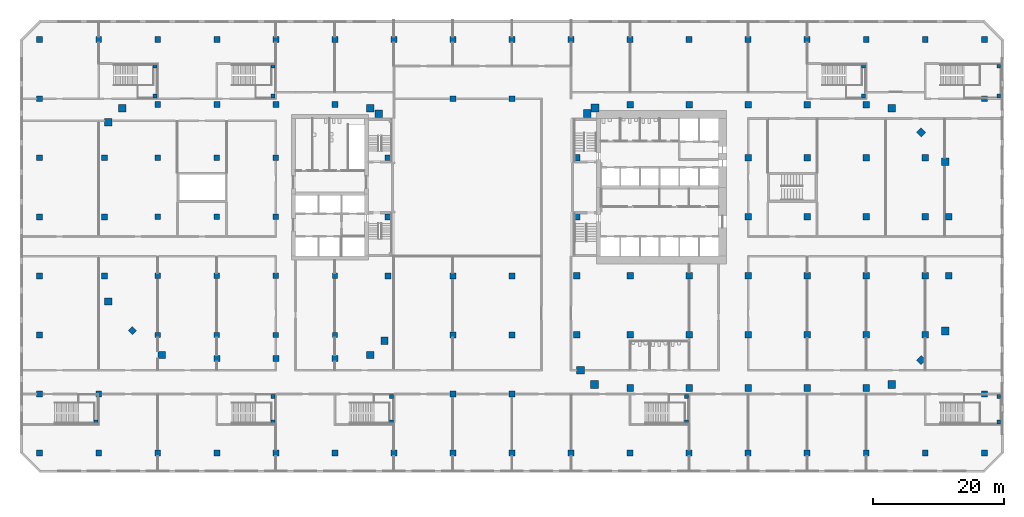
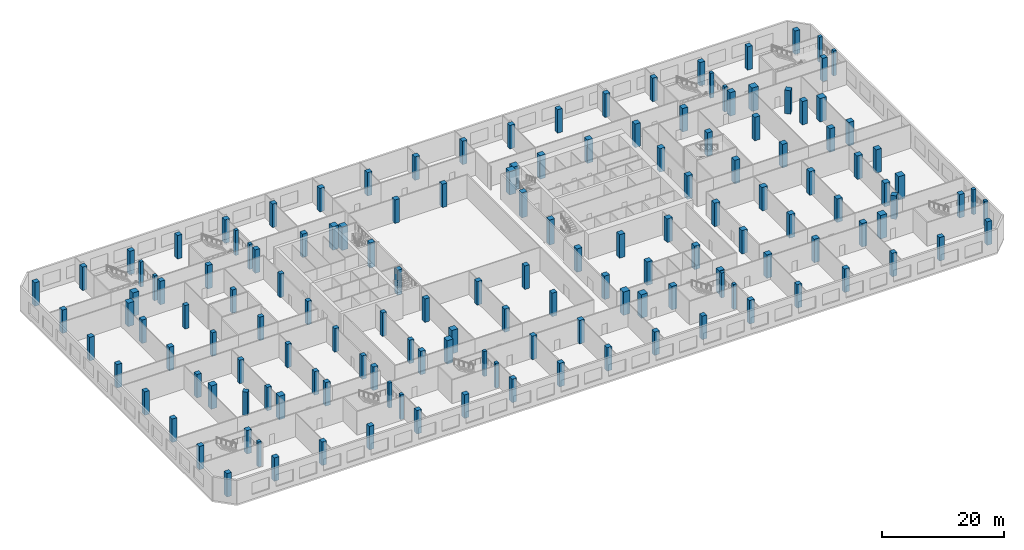
# One storey, part 1 of 21: 150 columns.
"""IFC4 building model written with IfcOpenShell, lengths in metres."""

from ifc_helpers import new_model, si_unit, direction, frame, origin, origin_2d, place, context, subcontext, project, spatial, rectangle, extrude, material, material_profile, profile_set, type_object, element, save


model = new_model("IFC4")

# Units and contexts
model_context = context("Model", 3, precision=1e-05, world=origin(), true_north=direction((0.0, 1.0)))
body_context = subcontext(model_context, "Body", "Model", "MODEL_VIEW")
ifc_project = project(units=[si_unit("LENGTHUNIT", "METRE"), si_unit("AREAUNIT", "SQUARE_METRE"), si_unit("VOLUMEUNIT", "CUBIC_METRE"), si_unit("PLANEANGLEUNIT", "RADIAN"), si_unit("MASSUNIT", "GRAM", prefix="KILO")], contexts=[model_context])

# Site, building, storey
site_placement = place(None, origin())
site = spatial("IfcSite", under=ifc_project, at=site_placement, CompositionType="ELEMENT")
building_placement = place(site_placement, origin())
building = spatial("IfcBuilding", under=site, at=building_placement, Name="Cinnabar Reach Civic Tower", CompositionType="ELEMENT")
storey_placement = place(building_placement, frame((0.0, 0.0, 11.0)))
storey = spatial("IfcBuildingStorey", under=building, at=storey_placement, Name="L02", CompositionType="ELEMENT", Elevation=11.0)

# Columns
ifc_material_1 = material(Name="Concrete C70", Category="concrete")
ifc_material_profile_1 = material_profile(ifc_material_1, rectangle(XDim=1.0, YDim=1.0, at=origin_2d()), Name="RC1000")
ifc_profile_set_1 = profile_set([ifc_material_profile_1], Name="Concrete C70")
column_type_1 = type_object("IfcColumnType", Name="RC1000 column R 240", PredefinedType="COLUMN", material=ifc_profile_set_1)
for number, where, z_axis, x_axis, name in (
    (1, (9.0, 0.9, 0.0), (0.0, 0.0, 1.0), (1.0, 0.0, 0.0), "Column T1-Z1-F0-1"),
    (2, (18.0, 0.9, 0.0), (0.0, 0.0, 1.0), (1.0, 0.0, 0.0), "Column T1-Z1-F0-2"),
    (3, (27.0, 0.9, 0.0), (0.0, 0.0, 1.0), (1.0, 0.0, 0.0), "Column T1-Z1-F0-3"),
    (4, (36.0, 0.9, 0.0), (0.0, 0.0, 1.0), (1.0, 0.0, 0.0), "Column T1-Z1-F0-4"),
    (5, (45.0, 0.9, 0.0), (0.0, 0.0, 1.0), (1.0, 0.0, 0.0), "Column T1-Z1-F0-5"),
    (6, (53.3636, 5.1364, 0.0), (0.0, 0.0, 1.0), (0.707106781187, 0.707106781187, 0.0), "Column T1-Z1-F1-M"),
    (7, (57.6, 18.0, 0.0), (0.0, 0.0, 1.0), (1.0, 0.0, 0.0), "Column T1-Z1-F2-2"),
    (8, (57.6, 27.0, 0.0), (0.0, 0.0, 1.0), (1.0, 0.0, 0.0), "Column T1-Z1-F2-3"),
    (9, (53.3636, 39.8636, 0.0), (0.0, 0.0, 1.0), (0.707106781187, 0.707106781187, 0.0), "Column T1-Z1-F3-M"),
    (10, (9.0, 44.1, 0.0), (0.0, 0.0, 1.0), (1.0, 0.0, 0.0), "Column T1-Z1-F4-1"),
    (11, (18.0, 44.1, 0.0), (0.0, 0.0, 1.0), (1.0, 0.0, 0.0), "Column T1-Z1-F4-2"),
    (12, (27.0, 44.1, 0.0), (0.0, 0.0, 1.0), (1.0, 0.0, 0.0), "Column T1-Z1-F4-3"),
    (13, (36.0, 44.1, 0.0), (0.0, 0.0, 1.0), (1.0, 0.0, 0.0), "Column T1-Z1-F4-4"),
    (14, (45.0, 44.1, 0.0), (0.0, 0.0, 1.0), (1.0, 0.0, 0.0), "Column T1-Z1-F4-5"),
    (15, (0.9, 9.0, 0.0), (0.0, 0.0, 1.0), (1.0, 0.0, 0.0), "Column T1-Z1-F6-1"),
    (16, (0.9, 18.0, 0.0), (0.0, 0.0, 1.0), (1.0, 0.0, 0.0), "Column T1-Z1-F6-2"),
):
    element("IfcColumn", number, at=place(storey_placement, frame(where, z_axis=z_axis, x_axis=x_axis)), inside=storey, type_object=column_type_1, Name=name, PredefinedType="COLUMN", context=body_context, shape_type="SweptSolid", body=[
        extrude(rectangle(XDim=1.0, YDim=1.0, at=origin_2d()), origin(), (0.0, 0.0, 1.0), 4.7),
    ])
for number, where, z_axis, x_axis, name in (
    (17, (0.9, 27.0, 0.0), (0.0, 0.0, 1.0), (1.0, 0.0, 0.0), "Column T1-Z1-F6-3"),
    (18, (0.9, 36.0, 0.0), (0.0, 0.0, 1.0), (1.0, 0.0, 0.0), "Column T1-Z1-F6-4"),
):
    element("IfcColumn", number, at=place(storey_placement, frame(where, z_axis=z_axis, x_axis=x_axis)), inside=storey, type_object=column_type_1, Name=name, PredefinedType="COLUMN", context=body_context, shape_type="SweptSolid", body=[
        extrude(rectangle(XDim=1.0, YDim=1.0, at=origin_2d()), origin(), (0.0, 0.0, 1.0), 5.0),
    ])
for number, where, z_axis, x_axis, name in (
    (19, (9.0, 9.0, 0.0), (0.0, 0.0, 1.0), (1.0, 0.0, 0.0), "Column T1-Z1-I9_9"),
    (20, (9.0, 18.0, 0.0), (0.0, 0.0, 1.0), (1.0, 0.0, 0.0), "Column T1-Z1-I9_18"),
    (21, (18.0, 9.0, 0.0), (0.0, 0.0, 1.0), (1.0, 0.0, 0.0), "Column T1-Z1-I18_9"),
    (22, (18.0, 18.0, 0.0), (0.0, 0.0, 1.0), (1.0, 0.0, 0.0), "Column T1-Z1-I18_18"),
    (23, (27.0, 9.0, 0.0), (0.0, 0.0, 1.0), (1.0, 0.0, 0.0), "Column T1-Z1-I27_9"),
    (24, (27.0, 18.0, 0.0), (0.0, 0.0, 1.0), (1.0, 0.0, 0.0), "Column T1-Z1-I27_18"),
    (25, (27.0, 27.0, 0.0), (0.0, 0.0, 1.0), (1.0, 0.0, 0.0), "Column T1-Z1-I27_27"),
    (26, (27.0, 36.0, 0.0), (0.0, 0.0, 1.0), (1.0, 0.0, 0.0), "Column T1-Z1-I27_36"),
    (27, (36.0, 9.0, 0.0), (0.0, 0.0, 1.0), (1.0, 0.0, 0.0), "Column T1-Z1-I36_9"),
    (28, (36.0, 18.0, 0.0), (0.0, 0.0, 1.0), (1.0, 0.0, 0.0), "Column T1-Z1-I36_18"),
    (29, (36.0, 27.0, 0.0), (0.0, 0.0, 1.0), (1.0, 0.0, 0.0), "Column T1-Z1-I36_27"),
    (30, (36.0, 36.0, 0.0), (0.0, 0.0, 1.0), (1.0, 0.0, 0.0), "Column T1-Z1-I36_36"),
    (31, (45.0, 9.0, 0.0), (0.0, 0.0, 1.0), (1.0, 0.0, 0.0), "Column T1-Z1-I45_9"),
    (32, (45.0, 18.0, 0.0), (0.0, 0.0, 1.0), (1.0, 0.0, 0.0), "Column T1-Z1-I45_18"),
    (33, (45.0, 27.0, 0.0), (0.0, 0.0, 1.0), (1.0, 0.0, 0.0), "Column T1-Z1-I45_27"),
    (34, (45.0, 36.0, 0.0), (0.0, 0.0, 1.0), (1.0, 0.0, 0.0), "Column T1-Z1-I45_36"),
    (35, (54.0, 9.0, 0.0), (0.0, 0.0, 1.0), (1.0, 0.0, 0.0), "Column T1-Z1-I54_9"),
    (36, (54.0, 18.0, 0.0), (0.0, 0.0, 1.0), (1.0, 0.0, 0.0), "Column T1-Z1-I54_18"),
    (37, (54.0, 27.0, 0.0), (0.0, 0.0, 1.0), (1.0, 0.0, 0.0), "Column T1-Z1-I54_27"),
    (38, (54.0, 36.0, 0.0), (0.0, 0.0, 1.0), (1.0, 0.0, 0.0), "Column T1-Z1-I54_36"),
):
    element("IfcColumn", number, at=place(storey_placement, frame(where, z_axis=z_axis, x_axis=x_axis)), inside=storey, type_object=column_type_1, Name=name, PredefinedType="COLUMN", context=body_context, shape_type="SweptSolid", body=[
        extrude(rectangle(XDim=1.0, YDim=1.0, at=origin_2d()), origin(), (0.0, 0.0, 1.0), 4.7),
    ])
ifc_material_2 = material(Name="Concrete C80", Category="concrete")
ifc_material_profile_2 = material_profile(ifc_material_2, rectangle(XDim=1.1, YDim=1.1, at=origin_2d()), Name="RC1100")
ifc_profile_set_2 = profile_set([ifc_material_profile_2], Name="Concrete C80")
column_type_2 = type_object("IfcColumnType", Name="RC1100 column R 180", PredefinedType="COLUMN", material=ifc_profile_set_2)
for number, where, z_axis, x_axis, name in (
    (39, (-62.3981, 5.9531, 0.0), (0.0, 0.0, 1.0), (1.0, 0.0, 0.0), "Column T2-Z1-CC0"),
    (40, (-30.6019, 5.9531, 0.0), (0.0, 0.0, 1.0), (1.0, 0.0, 0.0), "Column T2-Z1-CC1"),
    (41, (-28.4531, 8.1019, 0.0), (0.0, 0.0, 1.0), (1.0, 0.0, 0.0), "Column T2-Z1-CC2"),
    (42, (-29.3131, 42.7, 0.0), (0.0, 0.0, 1.0), (1.0, 0.0, 0.0), "Column T2-Z1-CC3"),
    (43, (-30.6019, 43.5469, 0.0), (0.0, 0.0, 1.0), (1.0, 0.0, 0.0), "Column T2-Z1-CC4"),
    (44, (-68.3981, 43.5469, 0.0), (0.0, 0.0, 1.0), (1.0, 0.0, 0.0), "Column T2-Z1-CC5"),
    (45, (-70.5469, 41.3981, 0.0), (0.0, 0.0, 1.0), (1.0, 0.0, 0.0), "Column T2-Z1-CC6"),
    (46, (-70.5469, 14.1019, 0.0), (0.0, 0.0, 1.0), (1.0, 0.0, 0.0), "Column T2-Z1-CC7"),
):
    element("IfcColumn", number, at=place(storey_placement, frame(where, z_axis=z_axis, x_axis=x_axis)), inside=storey, type_object=column_type_2, Name=name, PredefinedType="COLUMN", context=body_context, shape_type="SweptSolid", body=[
        extrude(rectangle(XDim=1.1, YDim=1.1, at=origin_2d()), origin(), (0.0, 0.0, 1.0), 4.7),
    ])
ifc_material_profile_3 = material_profile(ifc_material_2, rectangle(XDim=1.2, YDim=1.2, at=origin_2d()), Name="RC1200")
ifc_profile_set_3 = profile_set([ifc_material_profile_3], Name="Concrete C80")
column_type_3 = type_object("IfcColumnType", Name="RC1200 column R 240", PredefinedType="COLUMN", material=ifc_profile_set_3)
for number, where, z_axis, x_axis, name in (
    (47, (3.6019, 1.4531, 0.0), (0.0, 0.0, 1.0), (1.0, 0.0, 0.0), "Column T1-Z1-CC0"),
    (48, (48.8981, 1.4531, 0.0), (0.0, 0.0, 1.0), (1.0, 0.0, 0.0), "Column T1-Z1-CC1"),
    (49, (57.0469, 9.6019, 0.0), (0.0, 0.0, 1.0), (1.0, 0.0, 0.0), "Column T1-Z1-CC2"),
    (50, (57.0469, 35.3981, 0.0), (0.0, 0.0, 1.0), (1.0, 0.0, 0.0), "Column T1-Z1-CC3"),
    (51, (48.8981, 43.5469, 0.0), (0.0, 0.0, 1.0), (1.0, 0.0, 0.0), "Column T1-Z1-CC4"),
    (52, (3.6666, 43.5737, 0.0), (0.0, 0.0, 1.0), (1.0, 0.0, 0.0), "Column T1-Z1-CC5"),
    (53, (2.4631, 42.75, 0.0), (0.0, 0.0, 1.0), (1.0, 0.0, 0.0), "Column T1-Z1-CC6"),
    (54, (1.4531, 3.6019, 0.0), (0.0, 0.0, 1.0), (1.0, 0.0, 0.0), "Column T1-Z1-CC7"),
):
    element("IfcColumn", number, at=place(storey_placement, frame(where, z_axis=z_axis, x_axis=x_axis)), inside=storey, type_object=column_type_3, Name=name, PredefinedType="COLUMN", context=body_context, shape_type="SweptSolid", body=[
        extrude(rectangle(XDim=1.2, YDim=1.2, at=origin_2d()), origin(), (0.0, 0.0, 1.0), 4.7),
    ])
ifc_material_3 = material(Name="Concrete C60", Category="concrete")
ifc_material_profile_4 = material_profile(ifc_material_3, rectangle(XDim=0.6, YDim=0.6, at=origin_2d()), Name="RC600")
ifc_profile_set_4 = profile_set([ifc_material_profile_4], Name="Concrete C60")
column_type_4 = type_object("IfcColumnType", Name="RC600 landing post R 240", PredefinedType="COLUMN", material=ifc_profile_set_4)
for number, where, z_axis, x_axis, name in (
    (55, (-72.4, -4.25, 0.0), (0.0, 0.0, 1.0), (1.0, 0.0, 0.0), "Landing post PS1 L02 1"),
    (56, (-63.4, 49.95, 0.0), (0.0, 0.0, 1.0), (1.0, 0.0, 0.0), "Landing post PS2 L02 1"),
    (57, (-63.4, 45.4, 0.0), (0.0, 0.0, 1.0), (1.0, 0.0, 0.0), "Landing post PS2 L02 2"),
    (58, (17.6, -4.25, 0.0), (0.0, 0.0, 1.0), (1.0, 0.0, 0.0), "Landing post PS3 L02 1"),
    (59, (17.6, -0.4, 0.0), (0.0, 0.0, 1.0), (1.0, 0.0, 0.0), "Landing post PS3 L02 2"),
    (60, (65.2, -4.25, 0.0), (0.0, 0.0, 1.0), (1.0, 0.0, 0.0), "Landing post PS4 L02 1"),
    (61, (65.2, -0.4, 0.0), (0.0, 0.0, 1.0), (1.0, 0.0, 0.0), "Landing post PS4 L02 2"),
    (62, (65.2, 49.95, 0.0), (0.0, 0.0, 1.0), (1.0, 0.0, 0.0), "Landing post PS5 L02 1"),
    (63, (65.2, 45.4, 0.0), (0.0, 0.0, 1.0), (1.0, 0.0, 0.0), "Landing post PS5 L02 2"),
    (64, (44.6, 49.95, 0.0), (0.0, 0.0, 1.0), (1.0, 0.0, 0.0), "Landing post PS6 L02 1"),
    (65, (44.6, 45.4, 0.0), (0.0, 0.0, 1.0), (1.0, 0.0, 0.0), "Landing post PS6 L02 2"),
    (66, (-45.4, 49.95, 0.0), (0.0, 0.0, 1.0), (1.0, 0.0, 0.0), "Landing post PS7 L02 1"),
    (67, (-45.4, 45.4, 0.0), (0.0, 0.0, 1.0), (1.0, 0.0, 0.0), "Landing post PS7 L02 2"),
    (68, (-45.4, -4.25, 0.0), (0.0, 0.0, 1.0), (1.0, 0.0, 0.0), "Landing post PS8 L02 1"),
    (69, (-45.4, -0.4, 0.0), (0.0, 0.0, 1.0), (1.0, 0.0, 0.0), "Landing post PS8 L02 2"),
    (70, (-27.4, -4.25, 0.0), (0.0, 0.0, 1.0), (1.0, 0.0, 0.0), "Landing post PS9 L02 1"),
    (71, (-27.4, -0.4, 0.0), (0.0, 0.0, 1.0), (1.0, 0.0, 0.0), "Landing post PS9 L02 2"),
):
    element("IfcColumn", number, at=place(storey_placement, frame(where, z_axis=z_axis, x_axis=x_axis)), inside=storey, type_object=column_type_4, Name=name, PredefinedType="COLUMN", context=body_context, shape_type="SweptSolid", body=[
        extrude(rectangle(XDim=0.6, YDim=0.6, at=origin_2d()), origin(), (0.0, 0.0, 1.0), 5.0),
    ])
ifc_material_profile_5 = material_profile(ifc_material_3, rectangle(XDim=0.8, YDim=0.8, at=origin_2d()), Name="RC800")
ifc_profile_set_5 = profile_set([ifc_material_profile_5], Name="Concrete C60")
column_type_5 = type_object("IfcColumnType", Name="RC800 column R 180", PredefinedType="COLUMN", material=ifc_profile_set_5)
for number, where, z_axis, x_axis, name in (
    (72, (-63.0, 9.0, 0.0), (0.0, 0.0, 1.0), (1.0, 0.0, 0.0), "Column T2-Z1-I-63_9"),
    (73, (-63.0, 18.0, 0.0), (0.0, 0.0, 1.0), (1.0, 0.0, 0.0), "Column T2-Z1-I-63_18"),
    (74, (-63.0, 27.0, 0.0), (0.0, 0.0, 1.0), (1.0, 0.0, 0.0), "Column T2-Z1-I-63_27"),
    (75, (-63.0, 36.0, 0.0), (0.0, 0.0, 1.0), (1.0, 0.0, 0.0), "Column T2-Z1-I-63_36"),
    (76, (-54.0, 9.0, 0.0), (0.0, 0.0, 1.0), (1.0, 0.0, 0.0), "Column T2-Z1-I-54_9"),
    (77, (-54.0, 18.0, 0.0), (0.0, 0.0, 1.0), (1.0, 0.0, 0.0), "Column T2-Z1-I-54_18"),
    (78, (-54.0, 27.0, 0.0), (0.0, 0.0, 1.0), (1.0, 0.0, 0.0), "Column T2-Z1-I-54_27"),
    (79, (-54.0, 36.0, 0.0), (0.0, 0.0, 1.0), (1.0, 0.0, 0.0), "Column T2-Z1-I-54_36"),
    (80, (-45.0, 9.0, 0.0), (0.0, 0.0, 1.0), (1.0, 0.0, 0.0), "Column T2-Z1-I-45_9"),
    (81, (-45.0, 18.0, 0.0), (0.0, 0.0, 1.0), (1.0, 0.0, 0.0), "Column T2-Z1-I-45_18"),
    (82, (-45.0, 27.0, 0.0), (0.0, 0.0, 1.0), (1.0, 0.0, 0.0), "Column T2-Z1-I-45_27"),
    (83, (-45.0, 36.0, 0.0), (0.0, 0.0, 1.0), (1.0, 0.0, 0.0), "Column T2-Z1-I-45_36"),
    (84, (-36.0, 9.0, 0.0), (0.0, 0.0, 1.0), (1.0, 0.0, 0.0), "Column T2-Z1-I-36_9"),
    (85, (-36.0, 18.0, 0.0), (0.0, 0.0, 1.0), (1.0, 0.0, 0.0), "Column T2-Z1-I-36_18"),
):
    element("IfcColumn", number, at=place(storey_placement, frame(where, z_axis=z_axis, x_axis=x_axis)), inside=storey, type_object=column_type_5, Name=name, PredefinedType="COLUMN", context=body_context, shape_type="SweptSolid", body=[
        extrude(rectangle(XDim=0.8, YDim=0.8, at=origin_2d()), origin(), (0.0, 0.0, 1.0), 4.7),
    ])
ifc_material_profile_6 = material_profile(ifc_material_1, rectangle(XDim=0.9, YDim=0.9, at=origin_2d()), Name="RC900")
ifc_profile_set_6 = profile_set([ifc_material_profile_6], Name="Concrete C70")
column_type_6 = type_object("IfcColumnType", Name="RC900 column R 180", PredefinedType="COLUMN", material=ifc_profile_set_6)
for number, where, z_axis, x_axis, name in (
    (86, (-54.0, 5.4, 0.0), (0.0, 0.0, 1.0), (1.0, 0.0, 0.0), "Column T2-Z1-F0--6"),
    (87, (-45.0, 5.4, 0.0), (0.0, 0.0, 1.0), (1.0, 0.0, 0.0), "Column T2-Z1-F0--5"),
    (88, (-36.0, 5.4, 0.0), (0.0, 0.0, 1.0), (1.0, 0.0, 0.0), "Column T2-Z1-F0--4"),
    (89, (-27.9, 18.0, 0.0), (0.0, 0.0, 1.0), (1.0, 0.0, 0.0), "Column T2-Z1-F2-2"),
):
    element("IfcColumn", number, at=place(storey_placement, frame(where, z_axis=z_axis, x_axis=x_axis)), inside=storey, type_object=column_type_6, Name=name, PredefinedType="COLUMN", context=body_context, shape_type="SweptSolid", body=[
        extrude(rectangle(XDim=0.9, YDim=0.9, at=origin_2d()), origin(), (0.0, 0.0, 1.0), 4.7),
    ])
for number, where, z_axis, x_axis, name in (
    (90, (-27.9, 27.0, 0.0), (0.0, 0.0, 1.0), (1.0, 0.0, 0.0), "Column T2-Z1-F2-3"),
    (91, (-27.9, 36.0, 0.0), (0.0, 0.0, 1.0), (1.0, 0.0, 0.0), "Column T2-Z1-F2-4"),
):
    element("IfcColumn", number, at=place(storey_placement, frame(where, z_axis=z_axis, x_axis=x_axis)), inside=storey, type_object=column_type_6, Name=name, PredefinedType="COLUMN", context=body_context, shape_type="SweptSolid", body=[
        extrude(rectangle(XDim=0.9, YDim=0.9, at=origin_2d()), origin(), (0.0, 0.0, 1.0), 5.0),
    ])
for number, where, z_axis, x_axis, name in (
    (92, (-63.0, 44.1, 0.0), (0.0, 0.0, 1.0), (1.0, 0.0, 0.0), "Column T2-Z1-F4--7"),
    (93, (-54.0, 44.1, 0.0), (0.0, 0.0, 1.0), (1.0, 0.0, 0.0), "Column T2-Z1-F4--6"),
    (94, (-45.0, 44.1, 0.0), (0.0, 0.0, 1.0), (1.0, 0.0, 0.0), "Column T2-Z1-F4--5"),
    (95, (-36.0, 44.1, 0.0), (0.0, 0.0, 1.0), (1.0, 0.0, 0.0), "Column T2-Z1-F4--4"),
    (96, (-71.1, 18.0, 0.0), (0.0, 0.0, 1.0), (1.0, 0.0, 0.0), "Column T2-Z1-F6-2"),
    (97, (-71.1, 27.0, 0.0), (0.0, 0.0, 1.0), (1.0, 0.0, 0.0), "Column T2-Z1-F6-3"),
    (98, (-71.1, 36.0, 0.0), (0.0, 0.0, 1.0), (1.0, 0.0, 0.0), "Column T2-Z1-F6-4"),
    (99, (-66.8636, 9.6364, 0.0), (0.0, 0.0, 1.0), (0.707106781187, 0.707106781187, 0.0), "Column T2-Z1-F7-M"),
):
    element("IfcColumn", number, at=place(storey_placement, frame(where, z_axis=z_axis, x_axis=x_axis)), inside=storey, type_object=column_type_6, Name=name, PredefinedType="COLUMN", context=body_context, shape_type="SweptSolid", body=[
        extrude(rectangle(XDim=0.9, YDim=0.9, at=origin_2d()), origin(), (0.0, 0.0, 1.0), 4.7),
    ])
ifc_material_profile_7 = material_profile(ifc_material_1, rectangle(XDim=0.9, YDim=0.9, at=origin_2d()), Name="RC900")
ifc_profile_set_7 = profile_set([ifc_material_profile_7], Name="Concrete C70")
column_type_7 = type_object("IfcColumnType", Name="RC900 column R 240", PredefinedType="COLUMN", material=ifc_profile_set_7)
for number, where, z_axis, x_axis, name in (
    (100, (-81.0, -9.0, 0.0), (0.0, 0.0, 1.0), (1.0, 0.0, 0.0), "Column -81/-9 L02"),
    (101, (-81.0, 0.0, 0.0), (0.0, 0.0, 1.0), (1.0, 0.0, 0.0), "Column -81/0 L02"),
    (102, (-81.0, 9.0, 0.0), (0.0, 0.0, 1.0), (1.0, 0.0, 0.0), "Column -81/9 L02"),
    (103, (-81.0, 18.0, 0.0), (0.0, 0.0, 1.0), (1.0, 0.0, 0.0), "Column -81/18 L02"),
    (104, (-81.0, 27.0, 0.0), (0.0, 0.0, 1.0), (1.0, 0.0, 0.0), "Column -81/27 L02"),
    (105, (-81.0, 36.0, 0.0), (0.0, 0.0, 1.0), (1.0, 0.0, 0.0), "Column -81/36 L02"),
    (106, (-81.0, 45.0, 0.0), (0.0, 0.0, 1.0), (1.0, 0.0, 0.0), "Column -81/45 L02"),
    (107, (-81.0, 54.0, 0.0), (0.0, 0.0, 1.0), (1.0, 0.0, 0.0), "Column -81/54 L02"),
    (108, (-72.0, -9.0, 0.0), (0.0, 0.0, 1.0), (1.0, 0.0, 0.0), "Column -72/-9 L02"),
    (109, (-72.0, 0.0, 0.0), (0.0, 0.0, 1.0), (1.0, 0.0, 0.0), "Column -72/0 L02"),
    (110, (-72.0, 54.0, 0.0), (0.0, 0.0, 1.0), (1.0, 0.0, 0.0), "Column -72/54 L02"),
    (111, (-63.0, -9.0, 0.0), (0.0, 0.0, 1.0), (1.0, 0.0, 0.0), "Column -63/-9 L02"),
    (112, (-63.0, 54.0, 0.0), (0.0, 0.0, 1.0), (1.0, 0.0, 0.0), "Column -63/54 L02"),
    (113, (-54.0, -9.0, 0.0), (0.0, 0.0, 1.0), (1.0, 0.0, 0.0), "Column -54/-9 L02"),
    (114, (-54.0, 54.0, 0.0), (0.0, 0.0, 1.0), (1.0, 0.0, 0.0), "Column -54/54 L02"),
    (115, (-45.0, -9.0, 0.0), (0.0, 0.0, 1.0), (1.0, 0.0, 0.0), "Column -45/-9 L02"),
    (116, (-45.0, 54.0, 0.0), (0.0, 0.0, 1.0), (1.0, 0.0, 0.0), "Column -45/54 L02"),
    (117, (-36.0, -9.0, 0.0), (0.0, 0.0, 1.0), (1.0, 0.0, 0.0), "Column -36/-9 L02"),
    (118, (-36.0, 54.0, 0.0), (0.0, 0.0, 1.0), (1.0, 0.0, 0.0), "Column -36/54 L02"),
    (119, (-27.0, -9.0, 0.0), (0.0, 0.0, 1.0), (1.0, 0.0, 0.0), "Column -27/-9 L02"),
    (120, (-27.0, 54.0, 0.0), (0.0, 0.0, 1.0), (1.0, 0.0, 0.0), "Column -27/54 L02"),
    (121, (-18.0, -9.0, 0.0), (0.0, 0.0, 1.0), (1.0, 0.0, 0.0), "Column -18/-9 L02"),
    (122, (-18.0, 0.0, 0.0), (0.0, 0.0, 1.0), (1.0, 0.0, 0.0), "Column -18/0 L02"),
    (123, (-18.0, 9.0, 0.0), (0.0, 0.0, 1.0), (1.0, 0.0, 0.0), "Column -18/9 L02"),
    (124, (-18.0, 18.0, 0.0), (0.0, 0.0, 1.0), (1.0, 0.0, 0.0), "Column -18/18 L02"),
    (125, (-18.0, 45.0, 0.0), (0.0, 0.0, 1.0), (1.0, 0.0, 0.0), "Column -18/45 L02"),
    (126, (-18.0, 54.0, 0.0), (0.0, 0.0, 1.0), (1.0, 0.0, 0.0), "Column -18/54 L02"),
    (127, (-9.0, -9.0, 0.0), (0.0, 0.0, 1.0), (1.0, 0.0, 0.0), "Column -9/-9 L02"),
    (128, (-9.0, 0.0, 0.0), (0.0, 0.0, 1.0), (1.0, 0.0, 0.0), "Column -9/0 L02"),
    (129, (-9.0, 9.0, 0.0), (0.0, 0.0, 1.0), (1.0, 0.0, 0.0), "Column -9/9 L02"),
    (130, (-9.0, 18.0, 0.0), (0.0, 0.0, 1.0), (1.0, 0.0, 0.0), "Column -9/18 L02"),
    (131, (-9.0, 45.0, 0.0), (0.0, 0.0, 1.0), (1.0, 0.0, 0.0), "Column -9/45 L02"),
    (132, (-9.0, 54.0, 0.0), (0.0, 0.0, 1.0), (1.0, 0.0, 0.0), "Column -9/54 L02"),
    (133, (0.0, -9.0, 0.0), (0.0, 0.0, 1.0), (1.0, 0.0, 0.0), "Column 0/-9 L02"),
    (134, (0.0, 54.0, 0.0), (0.0, 0.0, 1.0), (1.0, 0.0, 0.0), "Column 0/54 L02"),
    (135, (9.0, -9.0, 0.0), (0.0, 0.0, 1.0), (1.0, 0.0, 0.0), "Column 9/-9 L02"),
    (136, (9.0, 54.0, 0.0), (0.0, 0.0, 1.0), (1.0, 0.0, 0.0), "Column 9/54 L02"),
    (137, (18.0, -9.0, 0.0), (0.0, 0.0, 1.0), (1.0, 0.0, 0.0), "Column 18/-9 L02"),
    (138, (18.0, 54.0, 0.0), (0.0, 0.0, 1.0), (1.0, 0.0, 0.0), "Column 18/54 L02"),
    (139, (27.0, -9.0, 0.0), (0.0, 0.0, 1.0), (1.0, 0.0, 0.0), "Column 27/-9 L02"),
    (140, (27.0, 54.0, 0.0), (0.0, 0.0, 1.0), (1.0, 0.0, 0.0), "Column 27/54 L02"),
    (141, (36.0, -9.0, 0.0), (0.0, 0.0, 1.0), (1.0, 0.0, 0.0), "Column 36/-9 L02"),
    (142, (36.0, 54.0, 0.0), (0.0, 0.0, 1.0), (1.0, 0.0, 0.0), "Column 36/54 L02"),
    (143, (45.0, -9.0, 0.0), (0.0, 0.0, 1.0), (1.0, 0.0, 0.0), "Column 45/-9 L02"),
    (144, (45.0, 54.0, 0.0), (0.0, 0.0, 1.0), (1.0, 0.0, 0.0), "Column 45/54 L02"),
    (145, (54.0, -9.0, 0.0), (0.0, 0.0, 1.0), (1.0, 0.0, 0.0), "Column 54/-9 L02"),
    (146, (54.0, 54.0, 0.0), (0.0, 0.0, 1.0), (1.0, 0.0, 0.0), "Column 54/54 L02"),
    (147, (63.0, -9.0, 0.0), (0.0, 0.0, 1.0), (1.0, 0.0, 0.0), "Column 63/-9 L02"),
    (148, (63.0, 0.0, 0.0), (0.0, 0.0, 1.0), (1.0, 0.0, 0.0), "Column 63/0 L02"),
    (149, (63.0, 45.0, 0.0), (0.0, 0.0, 1.0), (1.0, 0.0, 0.0), "Column 63/45 L02"),
    (150, (63.0, 54.0, 0.0), (0.0, 0.0, 1.0), (1.0, 0.0, 0.0), "Column 63/54 L02"),
):
    element("IfcColumn", number, at=place(storey_placement, frame(where, z_axis=z_axis, x_axis=x_axis)), inside=storey, type_object=column_type_7, Name=name, PredefinedType="COLUMN", context=body_context, shape_type="SweptSolid", body=[
        extrude(rectangle(XDim=0.9, YDim=0.9, at=origin_2d()), origin(), (0.0, 0.0, 1.0), 4.7),
    ])

save(model, "model.ifc")
